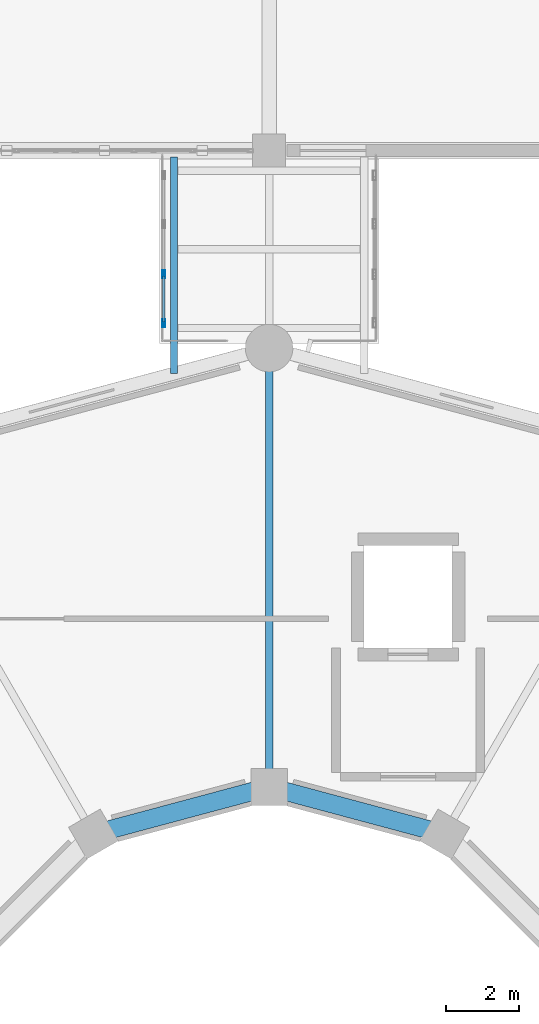
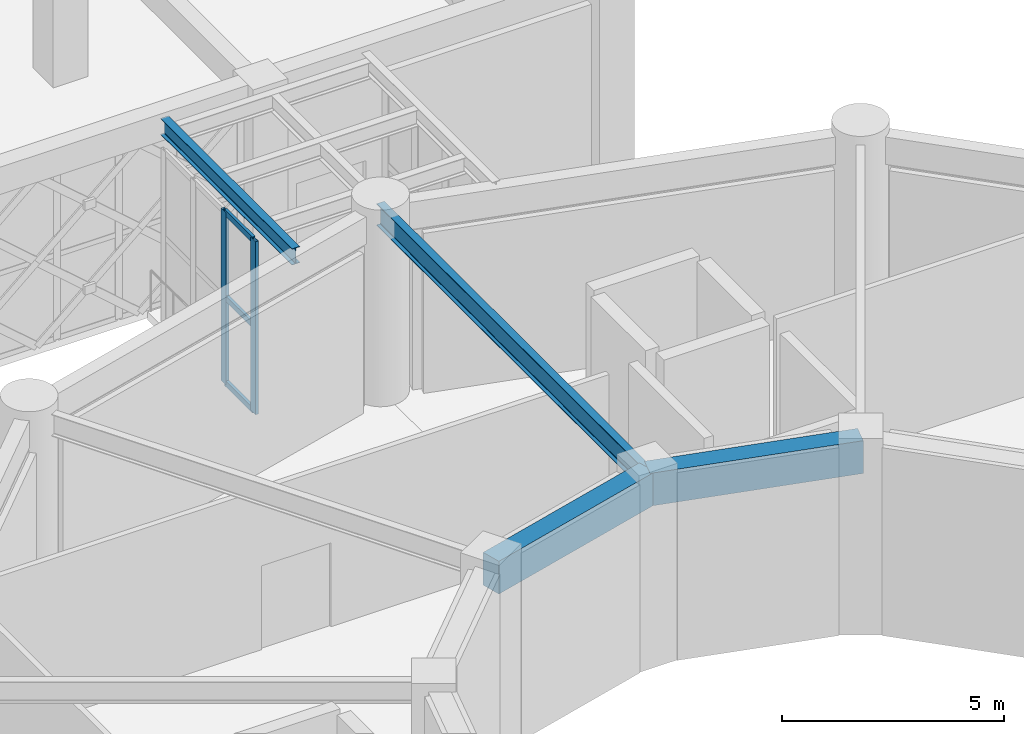
# One storey, part 67 of 155: 5 members, 4 beams, 1 element without a shape of its own.
"""IFC4 building model written with IfcOpenShell, lengths in metres."""

from ifc_helpers import new_model, si_unit, direction, frame, origin, origin_2d, place, context, subcontext, project, spatial, rectangle, hollow_rectangle, i_section, extrude, material, material_profile, profile_set, type_object, element, aggregate, save


model = new_model("IFC4")

# Units and contexts
model_context = context("Model", 3, precision=1e-05, world=origin(), true_north=direction((0.0, 1.0)))
body_context = subcontext(model_context, "Body", "Model", "MODEL_VIEW")
ifc_project = project(units=[si_unit("LENGTHUNIT", "METRE"), si_unit("AREAUNIT", "SQUARE_METRE"), si_unit("VOLUMEUNIT", "CUBIC_METRE"), si_unit("PLANEANGLEUNIT", "RADIAN"), si_unit("MASSUNIT", "GRAM", prefix="KILO")], contexts=[model_context])

# Site, building, storey
site_placement = place(None, origin())
site = spatial("IfcSite", under=ifc_project, at=site_placement, CompositionType="ELEMENT")
building_placement = place(site_placement, origin())
building = spatial("IfcBuilding", under=site, at=building_placement, Name="Haizhuo Lancet Aquarium", CompositionType="ELEMENT")
storey_placement = place(building_placement, frame((0.0, 0.0, 10.800048828125)))
storey = spatial("IfcBuildingStorey", under=building, at=storey_placement, Name="L02", CompositionType="ELEMENT", Elevation=10.800048828125)

# Beams
ifc_material_1 = material(Name="Concrete C40/50", Category="concrete")
ifc_material_profile_1 = material_profile(ifc_material_1, rectangle(XDim=0.5, YDim=0.89990234375, at=origin_2d()), Name="RC-BM 500x900")
ifc_profile_set_1 = profile_set([ifc_material_profile_1], Name="Concrete C40/50")
beam_type_1 = type_object("IfcBeamType", Name="BM-RC-500x900", PredefinedType="BEAM", material=ifc_profile_set_1)
for number, where, z_axis, x_axis, name in (
    (1, (4.800048828125, 8.31396484375, 4.7099609375), (-0.965927657214, 0.258812211902, 0.0), (-0.258812211902, -0.965927657214, 0.0), "L02 tank ring beam 3"),
    (2, (0.0, 9.60009765625, 4.7099609375), (-0.965927657214, -0.258812211902, 0.0), (0.258812211902, -0.965927657214, 0.0), "L02 tank ring beam 4"),
):
    element("IfcBeam", number, at=place(storey_placement, frame(where, z_axis=z_axis, x_axis=x_axis)), inside=storey, type_object=beam_type_1, Name=name, PredefinedType="BEAM", context=body_context, shape_type="SweptSolid", body=[
        extrude(rectangle(XDim=0.5, YDim=0.89990234375, at=origin_2d()), origin(), (0.0, 0.0, 1.0), 4.969482421875),
    ])
ifc_material_2 = material(Name="Steel S355", Category="steel")
ifc_material_profile_2 = material_profile(ifc_material_2, i_section(OverallWidth=0.199951171875, OverallDepth=0.60009765625, WebThickness=0.010986328125, FlangeThickness=0.01708984375, FilletRadius=0.02197265625, at=origin_2d()), Name="HN 600x200x11x17")
ifc_profile_set_2 = profile_set([ifc_material_profile_2], Name="Steel S355")
beam_type_2 = type_object("IfcBeamType", Name="BM-ST-HN600", PredefinedType="BEAM", material=ifc_profile_set_2)
beam_1_placement = place(storey_placement, frame((0.0, 9.60009765625, 4.85986328125), z_axis=(0.0, 1.0, 0.0), x_axis=(-1.0, 0.0, 0.0)))
element("IfcBeam", 3, at=beam_1_placement, inside=storey, type_object=beam_type_2, Name="L02 radial gallery girder 4", PredefinedType="BEAM", context=body_context, shape_type="SweptSolid", body=[
    extrude(i_section(OverallWidth=0.199951171875, OverallDepth=0.60009765625, WebThickness=0.010986328125, FlangeThickness=0.01708984375, FilletRadius=0.02197265625, at=origin_2d()), origin(), (0.0, 0.0, 1.0), 12.0),
])

# Curtain wall, members
ifc_material_3 = material(Name="Aluminium 6063-T6", Category="aluminium")
curtain_wall_type = type_object("IfcCurtainWallType", Name="CWO-4120x4750", PredefinedType="NOTDEFINED", material=ifc_material_3)
curtain_wall_placement = place(storey_placement, origin())
curtain_wall = element("IfcCurtainWall", 4, at=curtain_wall_placement, inside=storey, type_object=curtain_wall_type, Name="L02 curtain wall CW-SB-03-W1", PredefinedType="NOTDEFINED")
ifc_material_profile_3 = material_profile(ifc_material_3, hollow_rectangle(XDim=0.074951171875, YDim=0.219970703125, WallThickness=0.0048828125, at=origin_2d()), Name="ALU-M 75x220x5")
ifc_profile_set_3 = profile_set([ifc_material_profile_3], Name="Aluminium 6063-T6")
member_type_1 = type_object("IfcMemberType", Name="CW-MUL-2", PredefinedType="MULLION", material=ifc_profile_set_3)
member_1_placement = place(storey_placement, frame((-2.8798828125, 22.277099609375, 0.0), z_axis=(0.0, 0.0, 1.0), x_axis=(-1.0, 0.0, 0.0)))
member_1 = element("IfcMember", 5, at=member_1_placement, type_object=member_type_1, Name="CWO-41x47 mullion 1", PredefinedType="MULLION", context=body_context, shape_type="SweptSolid", body=[
    extrude(hollow_rectangle(XDim=0.074951171875, YDim=0.219970703125, WallThickness=0.0048828125, at=origin_2d()), origin(), (0.0, 0.0, 1.0), 4.75),
])
member_2_placement = place(storey_placement, frame((-2.8798828125, 23.613037109375, 0.0), z_axis=(0.0, 0.0, 1.0), x_axis=(-1.0, 0.0, 0.0)))
member_2 = element("IfcMember", 6, at=member_2_placement, type_object=member_type_1, Name="CWO-41x47 mullion 2", PredefinedType="MULLION", context=body_context, shape_type="SweptSolid", body=[
    extrude(hollow_rectangle(XDim=0.074951171875, YDim=0.219970703125, WallThickness=0.0048828125, at=origin_2d()), origin(), (0.0, 0.0, 1.0), 4.75),
])
ifc_material_profile_4 = material_profile(ifc_material_3, hollow_rectangle(XDim=0.074951171875, YDim=0.159912109375, WallThickness=0.00390625, at=origin_2d()), Name="ALU-T 75x160x4")
ifc_profile_set_4 = profile_set([ifc_material_profile_4], Name="Aluminium 6063-T6")
member_type_2 = type_object("IfcMemberType", Name="CW-TRN-2", PredefinedType="NOTDEFINED", material=ifc_profile_set_4)
member_3_placement = place(storey_placement, frame((-2.8798828125, 22.31494140625, 0.037841796875), z_axis=(0.0, 1.0, 0.0), x_axis=(-1.0, 0.0, 0.0)))
member_3 = element("IfcMember", 7, at=member_3_placement, type_object=member_type_2, Name="CWO-41x47 transom 1.1", ObjectType="TRANSOM", PredefinedType="USERDEFINED", context=body_context, shape_type="SweptSolid", body=[
    extrude(hollow_rectangle(XDim=0.074951171875, YDim=0.159912109375, WallThickness=0.00390625, at=origin_2d()), origin(), (0.0, 0.0, 1.0), 1.260986328125),
])
member_4_placement = place(storey_placement, frame((-2.8798828125, 22.31494140625, 2.375), z_axis=(0.0, 1.0, 0.0), x_axis=(-1.0, 0.0, 0.0)))
member_4 = element("IfcMember", 8, at=member_4_placement, type_object=member_type_2, Name="CWO-41x47 transom 1.2", ObjectType="TRANSOM", PredefinedType="USERDEFINED", context=body_context, shape_type="SweptSolid", body=[
    extrude(hollow_rectangle(XDim=0.074951171875, YDim=0.159912109375, WallThickness=0.00390625, at=origin_2d()), origin(), (0.0, 0.0, 1.0), 1.260986328125),
])
member_5_placement = place(storey_placement, frame((-2.8798828125, 22.31494140625, 4.712890625), z_axis=(0.0, 1.0, 0.0), x_axis=(-1.0, 0.0, 0.0)))
member_5 = element("IfcMember", 9, at=member_5_placement, type_object=member_type_2, Name="CWO-41x47 transom 1.3", ObjectType="TRANSOM", PredefinedType="USERDEFINED", context=body_context, shape_type="SweptSolid", body=[
    extrude(hollow_rectangle(XDim=0.074951171875, YDim=0.159912109375, WallThickness=0.00390625, at=origin_2d()), origin(), (0.0, 0.0, 1.0), 1.260986328125),
])
aggregate(curtain_wall, [member_1, member_2, member_3, member_4, member_5])

# Beam
ifc_material_profile_5 = material_profile(ifc_material_2, i_section(OverallWidth=0.199951171875, OverallDepth=0.449951171875, WebThickness=0.009033203125, FlangeThickness=0.013916015625, FilletRadius=0.01806640625, at=origin_2d()), Name="HN 450x200x9x14")
ifc_profile_set_5 = profile_set([ifc_material_profile_5], Name="Steel S355")
beam_type_3 = type_object("IfcBeamType", Name="JST-ST-HN450", PredefinedType="JOIST", material=ifc_profile_set_5)
beam_2_placement = place(storey_placement, frame((-2.60009765625, 20.903076171875, 5.02490234375), z_axis=(0.0, 1.0, 0.0), x_axis=(-1.0, 0.0, 0.0)))
element("IfcBeam", 10, at=beam_2_placement, inside=storey, type_object=beam_type_3, Name="Bridge roof edge beam SB-03 W", PredefinedType="JOIST", context=body_context, shape_type="SweptSolid", body=[
    extrude(i_section(OverallWidth=0.199951171875, OverallDepth=0.449951171875, WebThickness=0.009033203125, FlangeThickness=0.013916015625, FilletRadius=0.01806640625, at=origin_2d()), origin(), (0.0, 0.0, 1.0), 5.9169921875),
])

save(model, "model.ifc")
